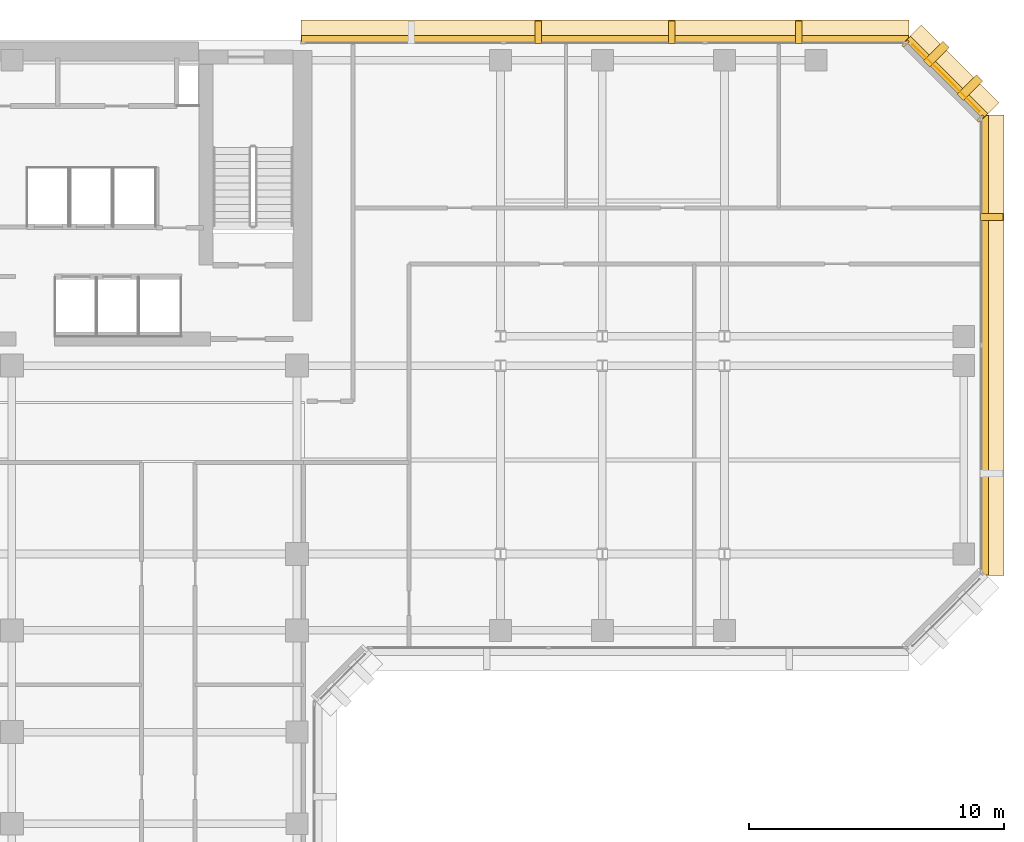
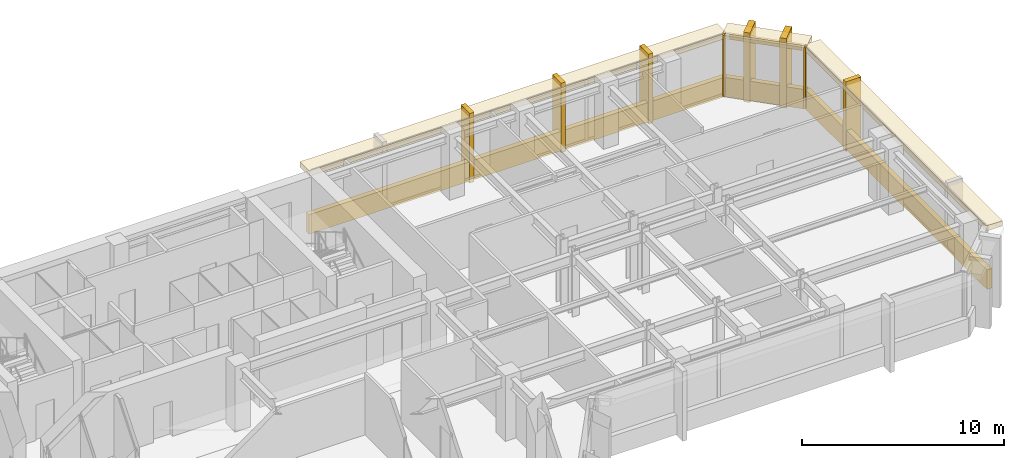
# One storey, part 11 of 11: 15 coverings.
"""IFC4 building model written with IfcOpenShell, lengths in metres."""

from ifc_helpers import new_model, si_unit, direction, frame, origin, origin_2d, place, context, subcontext, project, spatial, rectangle, extrude, material, layer, layer_set, type_object, element, save


model = new_model("IFC4")

# Units and contexts
model_context = context("Model", 3, precision=1e-05, world=origin(), true_north=direction((0.0, 1.0)))
body_context = subcontext(model_context, "Body", "Model", "MODEL_VIEW")
ifc_project = project(units=[si_unit("LENGTHUNIT", "METRE"), si_unit("AREAUNIT", "SQUARE_METRE"), si_unit("VOLUMEUNIT", "CUBIC_METRE"), si_unit("PLANEANGLEUNIT", "RADIAN"), si_unit("MASSUNIT", "GRAM", prefix="KILO")], contexts=[model_context])

# Site, building, storey
site_placement = place(None, origin())
site = spatial("IfcSite", under=ifc_project, at=site_placement, CompositionType="ELEMENT")
building_placement = place(site_placement, origin())
building = spatial("IfcBuilding", under=site, at=building_placement, Name="Kefirva Bronze Tower", CompositionType="ELEMENT")
storey_placement = place(building_placement, frame((0.0, 0.0, 183.47998046875)))
storey = spatial("IfcBuildingStorey", under=building, at=storey_placement, Name="L44", CompositionType="ELEMENT", Elevation=183.47998046875)

# Coverings
ifc_material = material(Name="Bronze anodised aluminium", Category="aluminium")
ifc_layer_1 = layer(ifc_material, 0.02001953125, Name="Bronze anodised aluminium")
ifc_layer_set_1 = layer_set([ifc_layer_1], Name="Bronze anodised aluminium")
covering_type_1 = type_object("IfcCoveringType", Name="Anodised Bronze Spandrel Cladding 20mm", PredefinedType="CLADDING", material=ifc_layer_set_1)
covering_1_placement = place(storey_placement, frame((50.239990234375, 34.0, -0.16015625), z_axis=(0.0, 0.0, 1.0), x_axis=(0.0, 1.0, 0.0)))
element("IfcCovering", 1, at=covering_1_placement, inside=storey, type_object=covering_type_1, Name="L44 Streamline Horizontal Spandrel Band 10", PredefinedType="CLADDING", context=body_context, shape_type="SweptSolid", body=[
    extrude(rectangle(XDim=18.0400390625, YDim=0.280029296875, at=origin_2d()), origin(), (0.0, 0.0, 1.0), 1.179931640625),
])
covering_2_placement = place(storey_placement, frame((48.70703125, 44.507080078125, 3.2900390625), z_axis=(0.0, 0.0, 1.0), x_axis=(-0.707106781187, 0.707106781187, 0.0)))
element("IfcCovering", 2, at=covering_2_placement, inside=storey, type_object=covering_type_1, Name="L44 Bronze Spandrel Cladding 7", PredefinedType="CLADDING", context=body_context, shape_type="SweptSolid", body=[
    extrude(rectangle(XDim=3.719482421875, YDim=0.02001953125, at=origin_2d()), origin(), (0.0, 0.0, 1.0), 0.39990234375),
])
for number, where, z_axis, x_axis, name in (
    (3, (50.06201171875, 42.91162109375, 0.0), (0.0, 0.0, 1.0), (-0.707106781187, 0.707106781187, 0.0), "L44 Facade Joint Closure Panel 7S"),
    (4, (47.11181640625, 45.862060546875, 0.0), (0.0, 0.0, 1.0), (-0.707106781187, 0.707106781187, 0.0), "L44 Facade Joint Closure Panel 7E"),
):
    element("IfcCovering", number, at=place(storey_placement, frame(where, z_axis=z_axis, x_axis=x_axis)), inside=storey, type_object=covering_type_1, Name=name, PredefinedType="CLADDING", context=body_context, shape_type="SweptSolid", body=[
        extrude(rectangle(XDim=0.10009765625, YDim=0.320068359375, at=origin_2d()), origin(), (0.0, 0.0, 1.0), 3.7099609375),
    ])
covering_3_placement = place(storey_placement, frame((48.728271484375, 44.5283203125, -0.16015625), z_axis=(0.0, 0.0, 1.0), x_axis=(-0.707106781187, 0.707106781187, 0.0)))
element("IfcCovering", 5, at=covering_3_placement, inside=storey, type_object=covering_type_1, Name="L44 Streamline Horizontal Spandrel Band 11", PredefinedType="CLADDING", context=body_context, shape_type="SweptSolid", body=[
    extrude(rectangle(XDim=4.28271484375, YDim=0.280029296875, at=origin_2d()), origin(), (0.0, 0.0, 1.0), 1.179931640625),
])
covering_4_placement = place(storey_placement, frame((35.302490234375, 46.0400390625, -0.16015625), z_axis=(0.0, 0.0, 1.0), x_axis=(-1.0, 0.0, 0.0)))
element("IfcCovering", 6, at=covering_4_placement, inside=storey, type_object=covering_type_1, Name="L44 Streamline Horizontal Spandrel Band 12", PredefinedType="CLADDING", context=body_context, shape_type="SweptSolid", body=[
    extrude(rectangle(XDim=23.8349609375, YDim=0.280029296875, at=origin_2d()), origin(), (0.0, 0.0, 1.0), 1.179931640625),
])
ifc_layer_2 = layer(ifc_material, 0.179931640625, Name="Bronze anodised aluminium")
ifc_layer_set_2 = layer_set([ifc_layer_2], Name="Bronze anodised aluminium")
covering_type_2 = type_object("IfcCoveringType", Name="Streamline Bronze Sunshade Eyebrow Cladding 180mm", PredefinedType="CLADDING", material=ifc_layer_set_2)
covering_5_placement = place(storey_placement, frame((50.510009765625, 34.0, 3.39013671875), z_axis=(0.0, 0.0, 1.0), x_axis=(0.0, 1.0, 0.0)))
element("IfcCovering", 7, at=covering_5_placement, inside=storey, type_object=covering_type_2, Name="L44 Streamline Bronze Sunshade Eyebrow 10", PredefinedType="CLADDING", context=body_context, shape_type="SweptSolid", body=[
    extrude(rectangle(XDim=18.080078125, YDim=0.93994140625, at=origin_2d()), origin(), (0.0, 0.0, 1.0), 0.320068359375),
])
covering_6_placement = place(storey_placement, frame((48.919189453125, 44.71923828125, 3.39013671875), z_axis=(0.0, 0.0, 1.0), x_axis=(-0.707106781187, 0.707106781187, 0.0)))
element("IfcCovering", 8, at=covering_6_placement, inside=storey, type_object=covering_type_2, Name="L44 Streamline Bronze Sunshade Eyebrow 11", PredefinedType="CLADDING", context=body_context, shape_type="SweptSolid", body=[
    extrude(rectangle(XDim=4.322509765625, YDim=0.93994140625, at=origin_2d()), origin(), (0.0, 0.0, 1.0), 0.320068359375),
])
covering_7_placement = place(storey_placement, frame((35.302490234375, 46.31005859375, 3.39013671875), z_axis=(0.0, 0.0, 1.0), x_axis=(-1.0, 0.0, 0.0)))
element("IfcCovering", 9, at=covering_7_placement, inside=storey, type_object=covering_type_2, Name="L44 Streamline Bronze Sunshade Eyebrow 12", PredefinedType="CLADDING", context=body_context, shape_type="SweptSolid", body=[
    extrude(rectangle(XDim=23.875, YDim=0.93994140625, at=origin_2d()), origin(), (0.0, 0.0, 1.0), 0.320068359375),
])
ifc_layer_3 = layer(ifc_material, 0.260009765625, Name="Bronze anodised aluminium")
ifc_layer_set_3 = layer_set([ifc_layer_3], Name="Bronze anodised aluminium")
covering_type_3 = type_object("IfcCoveringType", Name="Unbroken Bronze Buttress Fin Cladding 260mm", PredefinedType="CLADDING", material=ifc_layer_set_3)
covering_8_placement = place(storey_placement, frame((50.5, 39.0400390625, -0.25), z_axis=(0.0, 0.0, 1.0), x_axis=(0.0, 1.0, 0.0)))
element("IfcCovering", 10, at=covering_8_placement, inside=storey, type_object=covering_type_3, Name="L44 Unbroken Vertical Bronze Rib Fin 14", PredefinedType="CLADDING", context=body_context, shape_type="SweptSolid", body=[
    extrude(rectangle(XDim=0.260009765625, YDim=0.8798828125, at=origin_2d()), origin(), (0.0, 0.0, 1.0), 4.2099609375),
])
for number, where, z_axis, x_axis, name in (
    (11, (49.642822265625, 44.122802734375, -0.25), (0.0, 0.0, 1.0), (-0.707106781187, 0.707106781187, 0.0), "L44 Chamfered Corner Buttress Fin Cladding 15"),
    (12, (48.32275390625, 45.44287109375, -0.25), (0.0, 0.0, 1.0), (-0.707106781187, 0.707106781187, 0.0), "L44 Chamfered Corner Buttress Fin Cladding 16"),
):
    element("IfcCovering", number, at=place(storey_placement, frame(where, z_axis=z_axis, x_axis=x_axis)), inside=storey, type_object=covering_type_3, Name=name, PredefinedType="CLADDING", context=body_context, shape_type="SweptSolid", body=[
        extrude(rectangle(XDim=0.340087890625, YDim=1.080078125, at=origin_2d()), origin(), (0.0, 0.0, 1.0), 4.2099609375),
    ])
for number, where, z_axis, x_axis, name in (
    (13, (42.9169921875, 46.300048828125, -0.25), (0.0, 0.0, 1.0), (-1.0, 0.0, 0.0), "L44 Unbroken Vertical Bronze Rib Fin 17"),
    (14, (37.919921875, 46.300048828125, -0.25), (0.0, 0.0, 1.0), (-1.0, 0.0, 0.0), "L44 Unbroken Vertical Bronze Rib Fin 18"),
    (15, (32.68505859375, 46.300048828125, -0.25), (0.0, 0.0, 1.0), (-1.0, 0.0, 0.0), "L44 Unbroken Vertical Bronze Rib Fin 19"),
):
    element("IfcCovering", number, at=place(storey_placement, frame(where, z_axis=z_axis, x_axis=x_axis)), inside=storey, type_object=covering_type_3, Name=name, PredefinedType="CLADDING", context=body_context, shape_type="SweptSolid", body=[
        extrude(rectangle(XDim=0.260009765625, YDim=0.8798828125, at=origin_2d()), origin(), (0.0, 0.0, 1.0), 4.2099609375),
    ])

save(model, "model.ifc")
